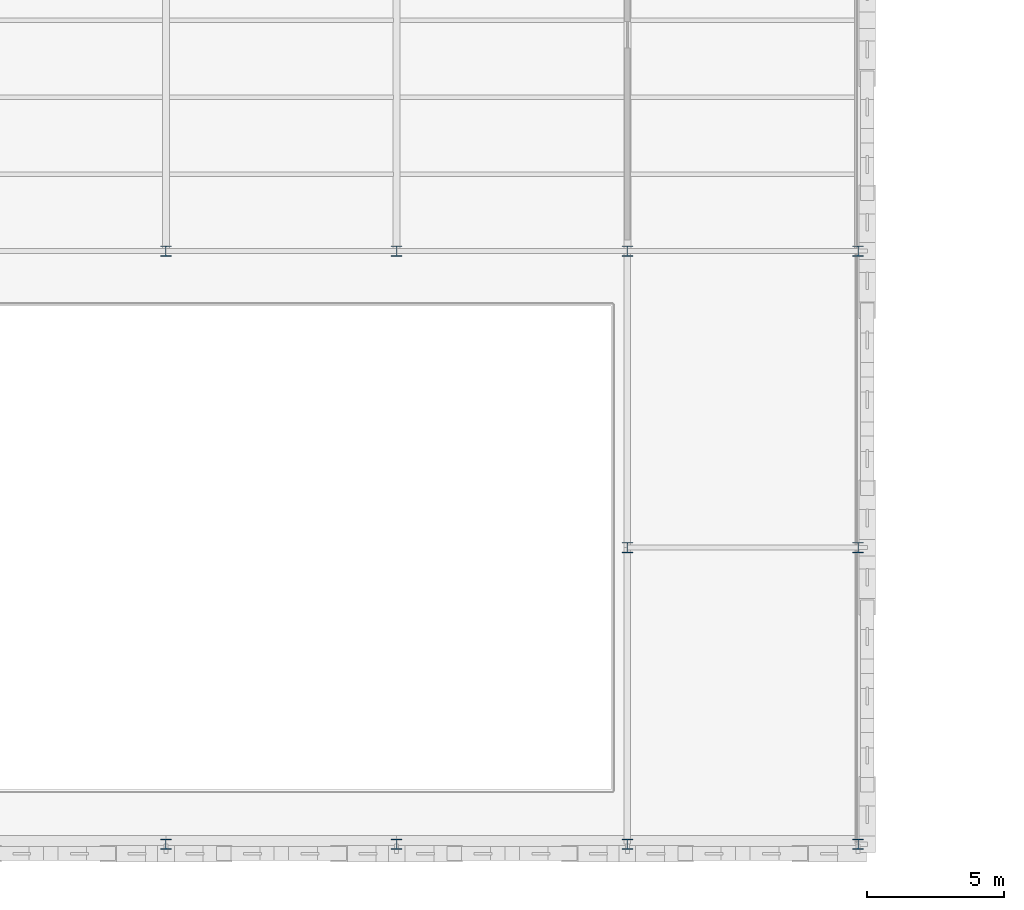
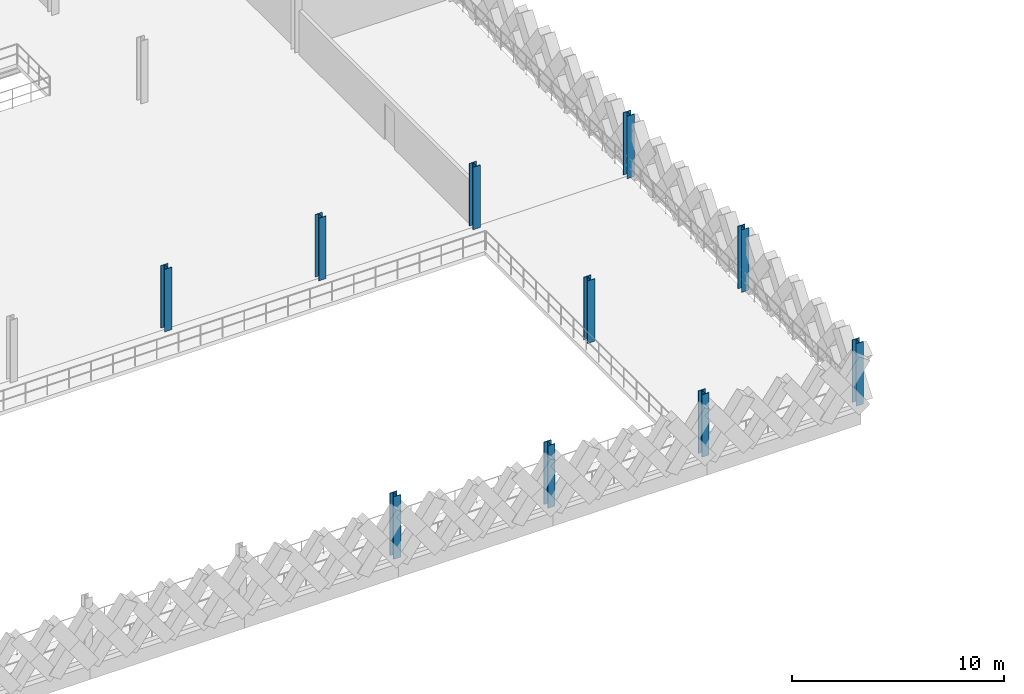
# One storey, part 5 of 79: 10 columns.
"""IFC4 building model written with IfcOpenShell, lengths in metres."""

from ifc_helpers import new_model, si_unit, direction, frame, origin, origin_2d, place, context, subcontext, project, spatial, i_section, extrude, material, material_profile, profile_set, type_object, element, save


model = new_model("IFC4")

# Units and contexts
model_context = context("Model", 3, precision=1e-05, world=origin(), true_north=direction((0.0, 1.0)))
body_context = subcontext(model_context, "Body", "Model", "MODEL_VIEW")
ifc_project = project(units=[si_unit("LENGTHUNIT", "METRE"), si_unit("AREAUNIT", "SQUARE_METRE"), si_unit("VOLUMEUNIT", "CUBIC_METRE"), si_unit("PLANEANGLEUNIT", "RADIAN"), si_unit("MASSUNIT", "GRAM", prefix="KILO"), si_unit("THERMODYNAMICTEMPERATUREUNIT", "KELVIN"), si_unit("POWERUNIT", "WATT")], contexts=[model_context])

# Site, building, storey
site_placement = place(None, origin())
site = spatial("IfcSite", under=ifc_project, at=site_placement, CompositionType="ELEMENT")
building_placement = place(site_placement, origin())
building = spatial("IfcBuilding", under=site, at=building_placement, Name="Tembeka Court Mobility Hub", CompositionType="ELEMENT")
storey_placement = place(building_placement, frame((0.0, 0.0, 9.0)))
storey = spatial("IfcBuildingStorey", under=building, at=storey_placement, Name="L02", CompositionType="ELEMENT", Elevation=9.0)

# Columns
ifc_material = material(Name="Steel S355", Category="steel")
ifc_material_profile = material_profile(ifc_material, i_section(OverallWidth=0.39501953125, OverallDepth=0.381103515625, WebThickness=0.018310546875, FlangeThickness=0.0302734375, FilletRadius=0.01513671875, at=origin_2d()), Name="UKC 356x406x235")
ifc_profile_set = profile_set([ifc_material_profile], Name="Steel S355")
column_type = type_object("IfcColumnType", Name="COL-C02", PredefinedType="COLUMN", material=ifc_profile_set)
for number, where, z_axis, x_axis, name in (
    (1, (67.199951171875, 0.0, 0.0), (0.0, 0.0, 1.0), (1.0, 0.0, 0.0), "Column C02 (L02-093)"),
    (2, (67.199951171875, 21.60009765625, 0.0), (0.0, 0.0, 1.0), (1.0, 0.0, 0.0), "Column C02 (L02-094)"),
    (3, (75.60009765625, 0.0, 0.0), (0.0, 0.0, 1.0), (1.0, 0.0, 0.0), "Column C02 (L02-103)"),
    (4, (75.60009765625, 21.60009765625, 0.0), (0.0, 0.0, 1.0), (1.0, 0.0, 0.0), "Column C02 (L02-104)"),
    (5, (84.0, 0.0, 0.0), (0.0, 0.0, 1.0), (1.0, 0.0, 0.0), "Column C02 (L02-113)"),
    (6, (84.0, 10.800048828125, 0.0), (0.0, 0.0, 1.0), (1.0, 0.0, 0.0), "Column C02 (L02-114)"),
    (7, (84.0, 21.60009765625, 0.0), (0.0, 0.0, 1.0), (1.0, 0.0, 0.0), "Column C02 (L02-115)"),
    (8, (92.39990234375, 0.0, 0.0), (0.0, 0.0, 1.0), (1.0, 0.0, 0.0), "Column C02 (L02-125)"),
    (9, (92.39990234375, 10.800048828125, 0.0), (0.0, 0.0, 1.0), (1.0, 0.0, 0.0), "Column C02 (L02-126)"),
    (10, (92.39990234375, 21.60009765625, 0.0), (0.0, 0.0, 1.0), (1.0, 0.0, 0.0), "Column C02 (L02-127)"),
):
    element("IfcColumn", number, at=place(storey_placement, frame(where, z_axis=z_axis, x_axis=x_axis)), inside=storey, type_object=column_type, Name=name, PredefinedType="COLUMN", context=body_context, shape_type="SweptSolid", body=[
        extrude(i_section(OverallWidth=0.39501953125, OverallDepth=0.381103515625, WebThickness=0.018310546875, FlangeThickness=0.0302734375, FilletRadius=0.01513671875, at=origin_2d()), origin(), (0.0, 0.0, 1.0), 3.60009765625),
    ])

save(model, "model.ifc")
